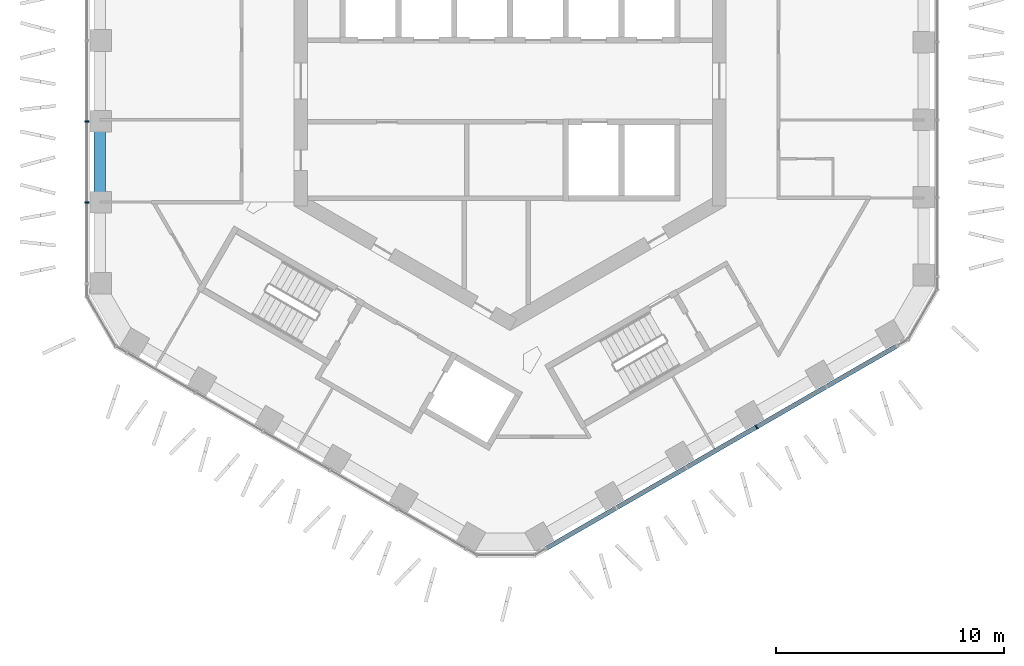
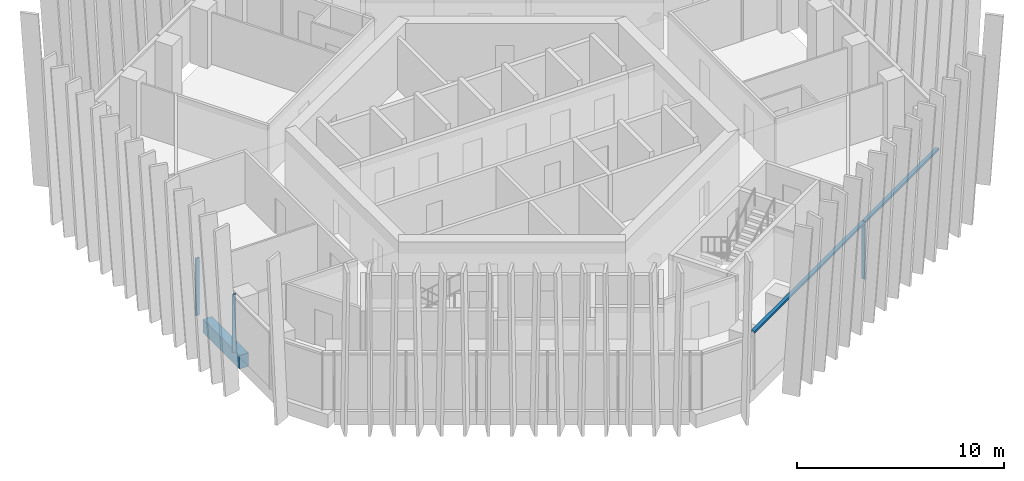
# One storey, part 3 of 20: 4 members, 1 beam, 2 elements without a shape of their own.
"""IFC4 building model written with IfcOpenShell, lengths in metres."""

from ifc_helpers import new_model, si_unit, direction, frame, origin, origin_2d, place, context, subcontext, project, spatial, rectangle, extrude, material, layer, layer_set, material_profile, profile_set, type_object, element, aggregate, save


model = new_model("IFC4")

# Units and contexts
model_context = context("Model", 3, precision=1e-05, world=origin(), true_north=direction((0.0, 1.0)))
body_context = subcontext(model_context, "Body", "Model", "MODEL_VIEW")
ifc_project = project(units=[si_unit("LENGTHUNIT", "METRE"), si_unit("AREAUNIT", "SQUARE_METRE"), si_unit("VOLUMEUNIT", "CUBIC_METRE"), si_unit("PLANEANGLEUNIT", "RADIAN"), si_unit("MASSUNIT", "GRAM", prefix="KILO")], contexts=[model_context])

# Site, building, storey
site_placement = place(None, origin())
site = spatial("IfcSite", under=ifc_project, at=site_placement, CompositionType="ELEMENT")
building_placement = place(site_placement, origin())
building = spatial("IfcBuilding", under=site, at=building_placement, Name="Ayvan Gate Tower", CompositionType="ELEMENT")
storey_placement = place(building_placement, frame((0.0, 0.0, 162.89990234375)))
storey = spatial("IfcBuildingStorey", under=building, at=storey_placement, Name="L43", CompositionType="ELEMENT", Elevation=162.89990234375)

# Beam
ifc_material_1 = material(Name="Concrete C40/50", Category="concrete")
ifc_material_profile_1 = material_profile(ifc_material_1, rectangle(XDim=0.5, YDim=0.800048828125, at=origin_2d()), Name="RC 500x800")
ifc_profile_set_1 = profile_set([ifc_material_profile_1], Name="Concrete C40/50")
beam_type = type_object("IfcBeamType", Name="Spandrel beam RC 500x800 C40/50", PredefinedType="BEAM", material=ifc_profile_set_1)
beam_placement = place(storey_placement, frame((-18.021484375, -1.772705078125, -0.75), z_axis=(0.0, -1.0, 0.0), x_axis=(1.0, 0.0, 0.0)))
element("IfcBeam", 1, at=beam_placement, inside=storey, type_object=beam_type, Name="SB-L43-22", PredefinedType="BEAM", context=body_context, shape_type="SweptSolid", body=[
    extrude(rectangle(XDim=0.5, YDim=0.800048828125, at=origin_2d()), origin(), (0.0, 0.0, 1.0), 3.545166015625),
])

# Curtain wall, members
ifc_material_2 = material(Name="Bronze anodised aluminium", Category="aluminium")
ifc_layer = layer(ifc_material_2, 0.199951171875)
ifc_layer_set = layer_set([ifc_layer], Name="Bronze anodised aluminium")
curtain_wall_type = type_object("IfcCurtainWallType", Name="Stick curtain wall CW-2", PredefinedType="NOTDEFINED", material=ifc_layer_set)
curtain_wall_1_placement = place(storey_placement, origin())
curtain_wall_1 = element("IfcCurtainWall", 2, at=curtain_wall_1_placement, inside=storey, type_object=curtain_wall_type, Name="Stick curtain wall CW-2 L43", PredefinedType="NOTDEFINED")
ifc_material_profile_2 = material_profile(ifc_material_2, rectangle(XDim=0.199951171875, YDim=0.070068359375, at=origin_2d()), Name="Stick curtain wall CW-2 mullion 200 x 70")
ifc_profile_set_2 = profile_set([ifc_material_profile_2], Name="Bronze anodised aluminium")
member_type_1 = type_object("IfcMemberType", Name="Stick curtain wall CW-2 mullion 200 x 70", PredefinedType="MULLION", material=ifc_profile_set_2)
member_1_placement = place(storey_placement, frame((-18.58349609375, -1.777587890625, 0.0), z_axis=(0.0, 0.0, 1.0), x_axis=(-1.0, 0.0, 0.0)))
member_1 = element("IfcMember", 3, at=member_1_placement, type_object=member_type_1, Name="CW-2 mullion 4", PredefinedType="MULLION", context=body_context, shape_type="SweptSolid", body=[
    extrude(rectangle(XDim=0.199951171875, YDim=0.070068359375, at=origin_2d()), origin(), (0.0, 0.0, 1.0), 3.400146484375),
])
member_2_placement = place(storey_placement, frame((-18.58349609375, -5.33251953125, 0.0), z_axis=(0.0, 0.0, 1.0), x_axis=(-1.0, 0.0, 0.0)))
member_2 = element("IfcMember", 4, at=member_2_placement, type_object=member_type_1, Name="CW-2 mullion 5", PredefinedType="MULLION", context=body_context, shape_type="SweptSolid", body=[
    extrude(rectangle(XDim=0.199951171875, YDim=0.070068359375, at=origin_2d()), origin(), (0.0, 0.0, 1.0), 3.400146484375),
])
aggregate(curtain_wall_1, [member_1, member_2])

curtain_wall_2_placement = place(storey_placement, origin())
curtain_wall_2 = element("IfcCurtainWall", 5, at=curtain_wall_2_placement, inside=storey, type_object=curtain_wall_type, Name="Stick curtain wall CW-2 L43", PredefinedType="NOTDEFINED")
member_3_placement = place(storey_placement, frame((10.8310546875, -15.205078125, 0.0), z_axis=(0.0, 0.0, 1.0), x_axis=(0.5, -0.866025403784, 0.0)))
member_3 = element("IfcMember", 6, at=member_3_placement, type_object=member_type_1, Name="CW-2 mullion 4", PredefinedType="MULLION", context=body_context, shape_type="SweptSolid", body=[
    extrude(rectangle(XDim=0.199951171875, YDim=0.070068359375, at=origin_2d()), origin(), (0.0, 0.0, 1.0), 3.400146484375),
])
ifc_material_profile_3 = material_profile(ifc_material_2, rectangle(XDim=0.199951171875, YDim=0.1201171875, at=origin_2d()), Name="Stick curtain wall CW-2 transom 200 x 120")
ifc_profile_set_3 = profile_set([ifc_material_profile_3], Name="Bronze anodised aluminium")
member_type_2 = type_object("IfcMemberType", Name="Stick curtain wall CW-2 transom 200 x 120", PredefinedType="USERDEFINED", material=ifc_profile_set_3)
member_4_placement = place(storey_placement, frame((1.57421875, -20.549560546875, 3.340087890625), z_axis=(0.866020888248, 0.500007821057, 0.0), x_axis=(-0.500007821057, 0.866020888248, 0.0)))
member_4 = element("IfcMember", 7, at=member_4_placement, type_object=member_type_2, Name="CW-2 transom 1", ObjectType="TRANSOM", PredefinedType="USERDEFINED", context=body_context, shape_type="SweptSolid", body=[
    extrude(rectangle(XDim=0.199951171875, YDim=0.1201171875, at=origin_2d()), origin(), (0.0, 0.0, 1.0), 17.822998046875),
])
aggregate(curtain_wall_2, [member_3, member_4])

save(model, "model.ifc")
